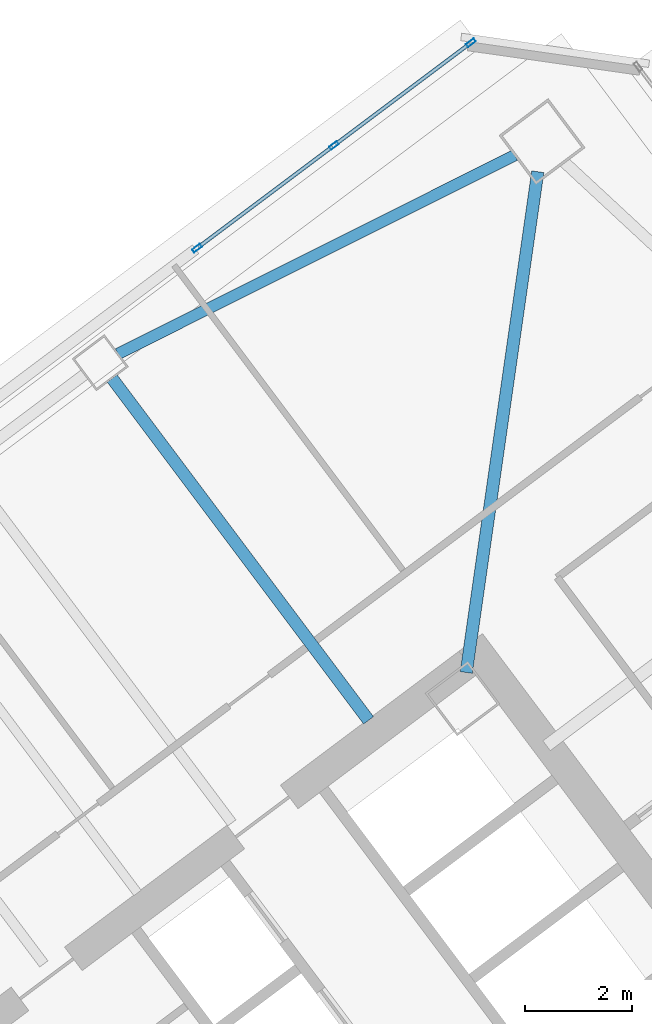
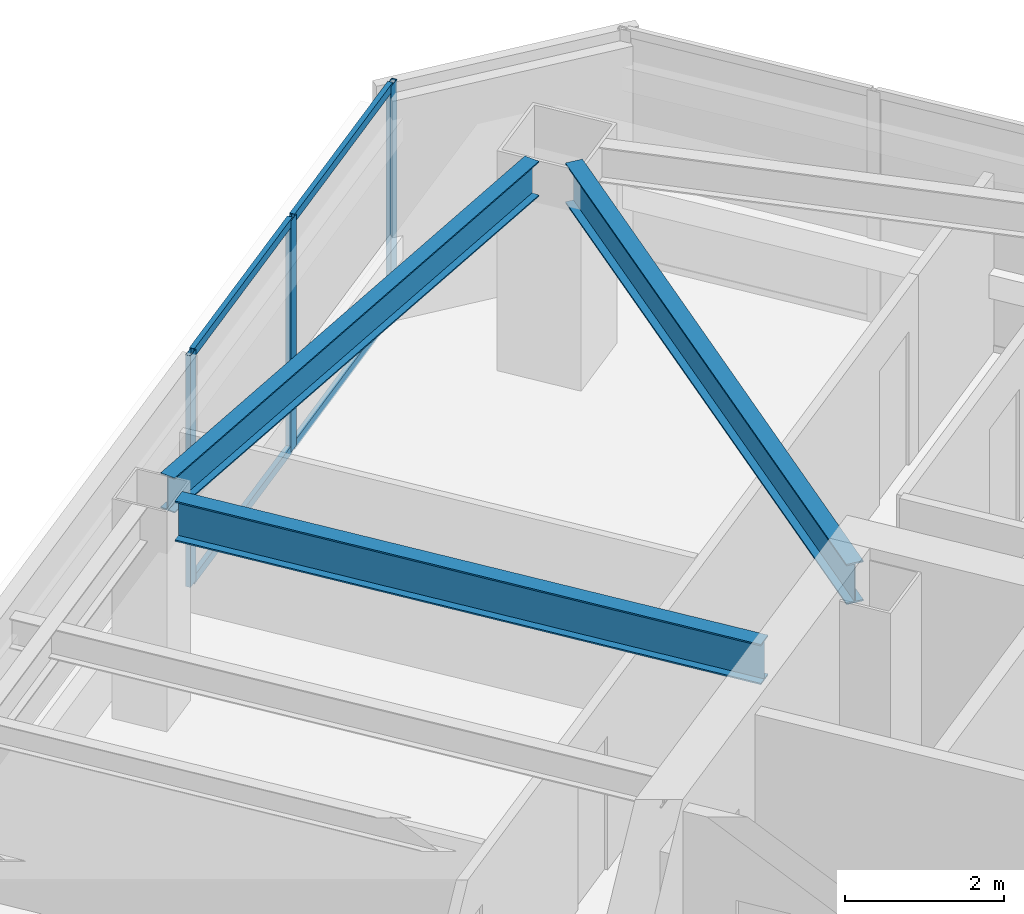
# One storey, part 29 of 43: 7 members, 3 beams, 1 element without a shape of its own.
"""IFC4 building model written with IfcOpenShell, lengths in metres."""

from ifc_helpers import new_model, si_unit, direction, frame, origin, origin_2d, place, context, subcontext, project, spatial, hollow_rectangle, i_section, extrude, material, material_profile, profile_set, type_object, element, aggregate, save


model = new_model("IFC4")

# Units and contexts
model_context = context("Model", 3, precision=1e-05, world=origin(), true_north=direction((0.0, 1.0)))
body_context = subcontext(model_context, "Body", "Model", "MODEL_VIEW")
ifc_project = project(units=[si_unit("LENGTHUNIT", "METRE"), si_unit("AREAUNIT", "SQUARE_METRE"), si_unit("VOLUMEUNIT", "CUBIC_METRE"), si_unit("PLANEANGLEUNIT", "RADIAN"), si_unit("MASSUNIT", "GRAM", prefix="KILO")], contexts=[model_context])

# Site, building, storey
site_placement = place(None, origin())
site = spatial("IfcSite", under=ifc_project, at=site_placement, CompositionType="ELEMENT")
building_placement = place(site_placement, origin())
building = spatial("IfcBuilding", under=site, at=building_placement, Name="Tashvorn Skyway Center", CompositionType="ELEMENT")
storey_placement = place(building_placement, frame((0.0, 0.0, 185.39990234375)))
storey = spatial("IfcBuildingStorey", under=building, at=storey_placement, Name="L50", CompositionType="ELEMENT", Elevation=185.39990234375)

# Beams
ifc_material_1 = material(Name="Steel ASTM A992 Grade 50", Category="steel")
ifc_material_profile_1 = material_profile(ifc_material_1, i_section(OverallWidth=0.22998046875, OverallDepth=0.616943359375, WebThickness=0.01318359375, FlangeThickness=0.022216796875, at=origin_2d()), Name="W24X94")
ifc_profile_set_1 = profile_set([ifc_material_profile_1], Name="Steel ASTM A992 Grade 50")
beam_type_1 = type_object("IfcBeamType", Name="BM-BEAM-W24X94", PredefinedType="BEAM", material=ifc_profile_set_1)
beam_1_placement = place(storey_placement, frame((116.8193359375, 51.73583984375, 3.0615234375), z_axis=(-0.141417747326, -0.989950009213, 0.0), x_axis=(0.989950009213, -0.141417747326, 0.0)))
element("IfcBeam", 1, at=beam_1_placement, inside=storey, type_object=beam_type_1, Name="Tower 2 L50 Primary Floor Girder MC-NE", PredefinedType="BEAM", context=body_context, shape_type="SweptSolid", body=[
    extrude(i_section(OverallWidth=0.22998046875, OverallDepth=0.616943359375, WebThickness=0.01318359375, FlangeThickness=0.022216796875, at=origin_2d()), origin(), (0.0, 0.0, 1.0), 9.470947265625),
])
beam_2_placement = place(storey_placement, frame((108.85205078125, 47.864013671875, 3.0615234375), z_axis=(0.60000976564, -0.799992675677, 0.0), x_axis=(0.799992675677, 0.60000976564, 0.0)))
element("IfcBeam", 2, at=beam_2_placement, inside=storey, type_object=beam_type_1, Name="Tower 2 L50 Primary Floor Girder FC-N1", PredefinedType="BEAM", context=body_context, shape_type="SweptSolid", body=[
    extrude(i_section(OverallWidth=0.22998046875, OverallDepth=0.616943359375, WebThickness=0.01318359375, FlangeThickness=0.022216796875, at=origin_2d()), origin(), (0.0, 0.0, 1.0), 8.0),
])
ifc_material_profile_2 = material_profile(ifc_material_1, i_section(OverallWidth=0.2109375, OverallDepth=0.5390625, WebThickness=0.01171875, FlangeThickness=0.018798828125, at=origin_2d()), Name="W21X73")
ifc_profile_set_2 = profile_set([ifc_material_profile_2], Name="Steel ASTM A992 Grade 50")
beam_type_2 = type_object("IfcBeamType", Name="BM-SPANDREL-W21X73", PredefinedType="SPANDREL", material=ifc_profile_set_2)
beam_3_placement = place(storey_placement, frame((116.390380859375, 52.044921875, 3.1005859375), z_axis=(-0.894209637559, -0.447648438059, 0.0), x_axis=(0.447648438059, -0.894209637559, 0.0)))
element("IfcBeam", 3, at=beam_3_placement, inside=storey, type_object=beam_type_2, Name="Tower 2 L50 Spandrel Beam 07", PredefinedType="SPANDREL", context=body_context, shape_type="SweptSolid", body=[
    extrude(i_section(OverallWidth=0.2109375, OverallDepth=0.5390625, WebThickness=0.01171875, FlangeThickness=0.018798828125, at=origin_2d()), origin(), (0.0, 0.0, 1.0), 8.308349609375),
])

# Curtain wall, members
ifc_material_2 = material(Name="Thermally broken bronze-anodized aluminium 6063-T6", Category="aluminium")
curtain_wall_type = type_object("IfcCurtainWallType", Name="CW-CW-Z4", PredefinedType="NOTDEFINED", material=ifc_material_2)
curtain_wall_placement = place(storey_placement, origin())
curtain_wall = element("IfcCurtainWall", 4, at=curtain_wall_placement, inside=storey, type_object=curtain_wall_type, Name="Tower 2 L50 North Unitised Curtain Wall Glazing Group 3", PredefinedType="NOTDEFINED")
ifc_material_profile_3 = material_profile(ifc_material_2, hollow_rectangle(XDim=0.070068359375, YDim=0.179931640625, WallThickness=0.00390625, at=origin_2d()), Name="ALU-MULL-70x180")
ifc_profile_set_3 = profile_set([ifc_material_profile_3], Name="Thermally broken bronze-anodized aluminium 6063-T6")
member_type_1 = type_object("IfcMemberType", Name="CWM-CW-Z4", PredefinedType="MULLION", material=ifc_profile_set_3)
member_1_placement = place(storey_placement, frame((110.43994140625, 50.304931640625, 0.0), z_axis=(0.0, 0.0, 1.0), x_axis=(-0.600000000002, 0.799999999998, 0.0)))
member_1 = element("IfcMember", 5, at=member_1_placement, type_object=member_type_1, Name="CW-Z4 mullion 1", PredefinedType="MULLION", context=body_context, shape_type="SweptSolid", body=[
    extrude(hollow_rectangle(XDim=0.070068359375, YDim=0.179931640625, WallThickness=0.00390625, at=origin_2d()), origin(), (0.0, 0.0, 1.0), 3.550048828125),
])
member_2_placement = place(storey_placement, frame((113.00390625, 52.22802734375, 0.0), z_axis=(0.0, 0.0, 1.0), x_axis=(-0.600000000002, 0.799999999998, 0.0)))
member_2 = element("IfcMember", 6, at=member_2_placement, type_object=member_type_1, Name="CW-Z4 mullion 2", PredefinedType="MULLION", context=body_context, shape_type="SweptSolid", body=[
    extrude(hollow_rectangle(XDim=0.070068359375, YDim=0.179931640625, WallThickness=0.00390625, at=origin_2d()), origin(), (0.0, 0.0, 1.0), 3.550048828125),
])
member_3_placement = place(storey_placement, frame((115.568115234375, 54.15087890625, 0.0), z_axis=(0.0, 0.0, 1.0), x_axis=(-0.600000000002, 0.799999999998, 0.0)))
member_3 = element("IfcMember", 7, at=member_3_placement, type_object=member_type_1, Name="CW-Z4 mullion 3", PredefinedType="MULLION", context=body_context, shape_type="SweptSolid", body=[
    extrude(hollow_rectangle(XDim=0.070068359375, YDim=0.179931640625, WallThickness=0.00390625, at=origin_2d()), origin(), (0.0, 0.0, 1.0), 3.550048828125),
])
ifc_material_profile_4 = material_profile(ifc_material_2, hollow_rectangle(XDim=0.070068359375, YDim=0.1298828125, WallThickness=0.00390625, at=origin_2d()), Name="ALU-TRAN-70x130")
ifc_profile_set_4 = profile_set([ifc_material_profile_4], Name="Thermally broken bronze-anodized aluminium 6063-T6")
member_type_2 = type_object("IfcMemberType", Name="CWT-CW-Z4", PredefinedType="USERDEFINED", material=ifc_profile_set_4)
member_4_placement = place(storey_placement, frame((110.468017578125, 50.325927734375, 0.03515625), z_axis=(0.799990655127, 0.600012459628, 0.0), x_axis=(-0.600012459628, 0.799990655127, 0.0)))
member_4 = element("IfcMember", 8, at=member_4_placement, type_object=member_type_2, Name="CW-Z4 transom 1.1", ObjectType="TRANSOM", PredefinedType="USERDEFINED", context=body_context, shape_type="SweptSolid", body=[
    extrude(hollow_rectangle(XDim=0.070068359375, YDim=0.1298828125, WallThickness=0.00390625, at=origin_2d()), origin(), (0.0, 0.0, 1.0), 3.135009765625),
])
member_5_placement = place(storey_placement, frame((110.468017578125, 50.325927734375, 3.51513671875), z_axis=(0.799990655127, 0.600012459628, 0.0), x_axis=(-0.600012459628, 0.799990655127, 0.0)))
member_5 = element("IfcMember", 9, at=member_5_placement, type_object=member_type_2, Name="CW-Z4 transom 1.2", ObjectType="TRANSOM", PredefinedType="USERDEFINED", context=body_context, shape_type="SweptSolid", body=[
    extrude(hollow_rectangle(XDim=0.070068359375, YDim=0.1298828125, WallThickness=0.00390625, at=origin_2d()), origin(), (0.0, 0.0, 1.0), 3.135009765625),
])
member_6_placement = place(storey_placement, frame((113.031982421875, 52.2490234375, 0.03515625), z_axis=(0.800028034763, 0.599962618496, 0.0), x_axis=(-0.599962618496, 0.800028034763, 0.0)))
member_6 = element("IfcMember", 10, at=member_6_placement, type_object=member_type_2, Name="CW-Z4 transom 2.1", ObjectType="TRANSOM", PredefinedType="USERDEFINED", context=body_context, shape_type="SweptSolid", body=[
    extrude(hollow_rectangle(XDim=0.070068359375, YDim=0.1298828125, WallThickness=0.00390625, at=origin_2d()), origin(), (0.0, 0.0, 1.0), 3.135009765625),
])
member_7_placement = place(storey_placement, frame((113.031982421875, 52.2490234375, 3.51513671875), z_axis=(0.800028034763, 0.599962618496, 0.0), x_axis=(-0.599962618496, 0.800028034763, 0.0)))
member_7 = element("IfcMember", 11, at=member_7_placement, type_object=member_type_2, Name="CW-Z4 transom 2.2", ObjectType="TRANSOM", PredefinedType="USERDEFINED", context=body_context, shape_type="SweptSolid", body=[
    extrude(hollow_rectangle(XDim=0.070068359375, YDim=0.1298828125, WallThickness=0.00390625, at=origin_2d()), origin(), (0.0, 0.0, 1.0), 3.135009765625),
])
aggregate(curtain_wall, [member_1, member_2, member_3, member_4, member_5, member_6, member_7])

save(model, "model.ifc")
